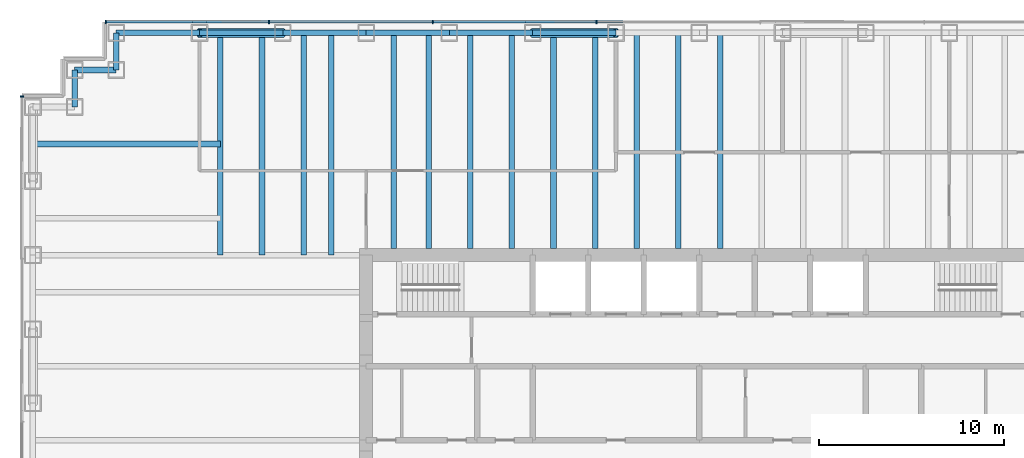
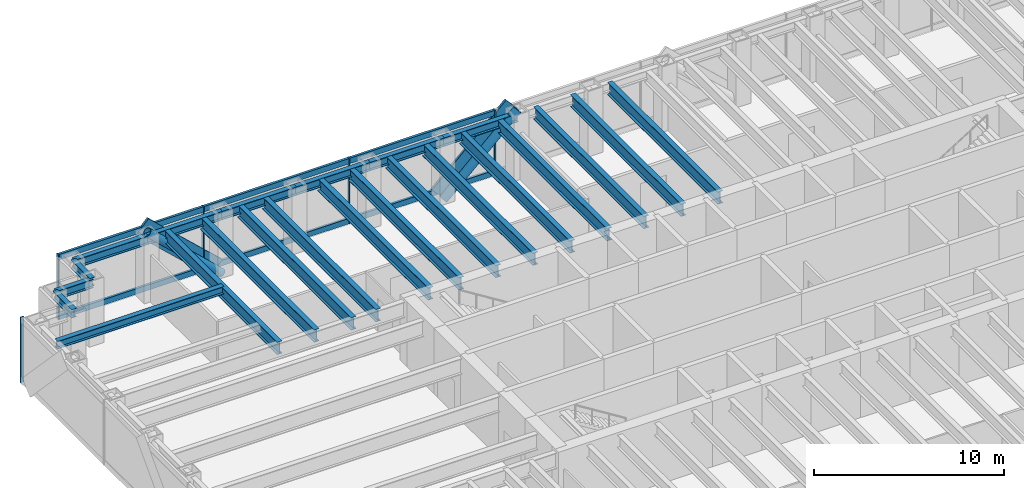
# One storey, part 6 of 15: 23 beams, 15 members, 2 elements without a shape of their own.
"""IFC4 building model written with IfcOpenShell, lengths in metres."""

from ifc_helpers import new_model, si_unit, direction, frame, origin, origin_2d, place, context, subcontext, project, spatial, rectangle, hollow_circle, i_section, extrude, material, material_profile, profile_set, type_object, element, aggregate, save


model = new_model("IFC4")

# Units and contexts
model_context = context("Model", 3, precision=1e-05, world=origin(), true_north=direction((0.0, 1.0)))
body_context = subcontext(model_context, "Body", "Model", "MODEL_VIEW")
ifc_project = project(units=[si_unit("LENGTHUNIT", "METRE"), si_unit("AREAUNIT", "SQUARE_METRE"), si_unit("VOLUMEUNIT", "CUBIC_METRE"), si_unit("PLANEANGLEUNIT", "RADIAN"), si_unit("MASSUNIT", "GRAM", prefix="KILO")], contexts=[model_context])

# Site, building, storey
site_placement = place(None, origin())
site = spatial("IfcSite", under=ifc_project, at=site_placement, CompositionType="ELEMENT")
building_placement = place(site_placement, origin())
building = spatial("IfcBuilding", under=site, at=building_placement, Name="Rheinbord Bourse Tower", CompositionType="ELEMENT")
storey_placement = place(building_placement, frame((0.0, 0.0, 296.300048828125)))
storey = spatial("IfcBuildingStorey", under=building, at=storey_placement, Name="L67", CompositionType="ELEMENT", Elevation=296.300048828125)

# Curtain wall, members
ifc_material_1 = material(Name="Dark glass and black aluminium", Category="aluminium")
curtain_wall_type = type_object("IfcCurtainWallType", Name="CW3 DARK GLASS CURTAIN WALL", PredefinedType="USERDEFINED", material=ifc_material_1)
curtain_wall_1_placement = place(storey_placement, origin())
curtain_wall_1 = element("IfcCurtainWall", 1, at=curtain_wall_1_placement, inside=storey, type_object=curtain_wall_type, Name="Curtain wall CW3 N L67", ObjectType="UNITISED CURTAIN WALL", PredefinedType="USERDEFINED")
ifc_material_2 = material(Name="Black anodised aluminium", Category="aluminium")
ifc_material_profile_1 = material_profile(ifc_material_2, rectangle(XDim=0.14990234375, YDim=1.10791015625, at=origin_2d()), Name="CW3 DIAGONAL MULLION 1108x150")
ifc_profile_set_1 = profile_set([ifc_material_profile_1], Name="Black anodised aluminium")
member_type_1 = type_object("IfcMemberType", Name="CW3 BLACK DIAGONAL MULLION", PredefinedType="USERDEFINED", material=ifc_profile_set_1)
member_1_placement = place(storey_placement, frame((13.5, 44.60009765625, 0.0), z_axis=(-0.73105922506, 0.0, 0.682314010889), x_axis=(0.0, -1.0, 0.0)))
member_1 = element("IfcMember", 2, at=member_1_placement, type_object=member_type_1, Name="CW3 diagonal mullion b", ObjectType="DIAGONAL MULLION", PredefinedType="USERDEFINED", context=body_context, shape_type="SweptSolid", body=[
    extrude(rectangle(XDim=0.14990234375, YDim=1.10791015625, at=origin_2d()), origin(), (0.0, 0.0, 1.0), 6.155517578125),
])
member_2_placement = place(storey_placement, frame((27.0, 44.60009765625, 0.0), z_axis=(0.73105922506, 0.0, 0.682314010889), x_axis=(0.0, 1.0, 0.0)))
member_2 = element("IfcMember", 3, at=member_2_placement, type_object=member_type_1, Name="CW3 diagonal mullion d", ObjectType="DIAGONAL MULLION", PredefinedType="USERDEFINED", context=body_context, shape_type="SweptSolid", body=[
    extrude(rectangle(XDim=0.14990234375, YDim=1.10791015625, at=origin_2d()), origin(), (0.0, 0.0, 1.0), 6.155517578125),
])
ifc_material_3 = material(Name="Black anodised aluminium", Category="aluminium")
ifc_material_profile_2 = material_profile(ifc_material_3, rectangle(XDim=0.199951171875, YDim=0.06494140625, at=origin_2d()), Name="CW3 MULLION 65x200")
ifc_profile_set_2 = profile_set([ifc_material_profile_2], Name="Black anodised aluminium")
member_type_2 = type_object("IfcMemberType", Name="CW3 BLACK MULLION", PredefinedType="MULLION", material=ifc_profile_set_2)
member_3_placement = place(storey_placement, frame((30.449951171875, 44.60009765625, 0.0), z_axis=(0.0, 0.0, 1.0), x_axis=(0.0, -1.0, 0.0)))
member_3 = element("IfcMember", 4, at=member_3_placement, type_object=member_type_2, Name="CW3 mullion 5", PredefinedType="MULLION", context=body_context, shape_type="SweptSolid", body=[
    extrude(rectangle(XDim=0.199951171875, YDim=0.06494140625, at=origin_2d()), origin(), (0.0, 0.0, 1.0), 4.199951171875),
])
member_4_placement = place(storey_placement, frame((21.60009765625, 44.60009765625, 0.0), z_axis=(0.0, 0.0, 1.0), x_axis=(0.0, -1.0, 0.0)))
member_4 = element("IfcMember", 5, at=member_4_placement, type_object=member_type_2, Name="CW3 mullion 6", PredefinedType="MULLION", context=body_context, shape_type="SweptSolid", body=[
    extrude(rectangle(XDim=0.199951171875, YDim=0.06494140625, at=origin_2d()), origin(), (0.0, 0.0, 1.0), 4.199951171875),
])
member_5_placement = place(storey_placement, frame((12.75, 44.60009765625, 0.0), z_axis=(0.0, 0.0, 1.0), x_axis=(0.0, -1.0, 0.0)))
member_5 = element("IfcMember", 6, at=member_5_placement, type_object=member_type_2, Name="CW3 mullion 7", PredefinedType="MULLION", context=body_context, shape_type="SweptSolid", body=[
    extrude(rectangle(XDim=0.199951171875, YDim=0.06494140625, at=origin_2d()), origin(), (0.0, 0.0, 1.0), 4.199951171875),
])
member_6_placement = place(storey_placement, frame((3.9326171875, 44.60009765625, 0.0), z_axis=(0.0, 0.0, 1.0), x_axis=(0.0, -1.0, 0.0)))
member_6 = element("IfcMember", 7, at=member_6_placement, type_object=member_type_2, Name="CW3 mullion 8", PredefinedType="MULLION", context=body_context, shape_type="SweptSolid", body=[
    extrude(rectangle(XDim=0.199951171875, YDim=0.06494140625, at=origin_2d()), origin(), (0.0, 0.0, 1.0), 4.199951171875),
])

# Curtain wall, member
curtain_wall_2_placement = place(storey_placement, origin())
curtain_wall_2 = element("IfcCurtainWall", 8, at=curtain_wall_2_placement, inside=storey, type_object=curtain_wall_type, Name="Curtain wall CW3 W L67", ObjectType="UNITISED CURTAIN WALL", PredefinedType="USERDEFINED")
member_7_placement = place(storey_placement, frame((-0.60009765625, 40.5673828125, 0.0), z_axis=(0.0, 0.0, 1.0), x_axis=(1.0, 0.0, 0.0)))
member_7 = element("IfcMember", 9, at=member_7_placement, type_object=member_type_2, Name="CW3 mullion 1", PredefinedType="MULLION", context=body_context, shape_type="SweptSolid", body=[
    extrude(rectangle(XDim=0.199951171875, YDim=0.06494140625, at=origin_2d()), origin(), (0.0, 0.0, 1.0), 4.199951171875),
])
aggregate(curtain_wall_2, [member_7])

# Member
ifc_material_4 = material(Name="Black anodised aluminium", Category="aluminium")
ifc_material_profile_3 = material_profile(ifc_material_4, rectangle(XDim=0.14990234375, YDim=0.35009765625, at=origin_2d()), Name="CW3 TRANSOM 350x150")
ifc_profile_set_3 = profile_set([ifc_material_profile_3], Name="Black anodised aluminium")
member_type_3 = type_object("IfcMemberType", Name="CW3 BLACK TRANSOM", PredefinedType="USERDEFINED", material=ifc_profile_set_3)
member_8_placement = place(storey_placement, frame((30.41748046875, 44.60009765625, 0.175048828125), z_axis=(-1.0, 0.0, 0.0), x_axis=(0.0, -1.0, 0.0)))
member_8 = element("IfcMember", 10, at=member_8_placement, type_object=member_type_3, Name="CW3 transom 5.1", ObjectType="TRANSOM", PredefinedType="USERDEFINED", context=body_context, shape_type="SweptSolid", body=[
    extrude(rectangle(XDim=0.14990234375, YDim=0.35009765625, at=origin_2d()), origin(), (0.0, 0.0, 1.0), 8.784912109375),
])

member_9_placement = place(storey_placement, frame((30.41748046875, 44.60009765625, 4.02490234375), z_axis=(-1.0, 0.0, 0.0), x_axis=(0.0, -1.0, 0.0)))
member_9 = element("IfcMember", 11, at=member_9_placement, type_object=member_type_3, Name="CW3 transom 5.2", ObjectType="TRANSOM", PredefinedType="USERDEFINED", context=body_context, shape_type="SweptSolid", body=[
    extrude(rectangle(XDim=0.14990234375, YDim=0.35009765625, at=origin_2d()), origin(), (0.0, 0.0, 1.0), 8.784912109375),
])

member_10_placement = place(storey_placement, frame((21.5673828125, 44.60009765625, 0.175048828125), z_axis=(-1.0, 0.0, 0.0), x_axis=(0.0, -1.0, 0.0)))
member_10 = element("IfcMember", 12, at=member_10_placement, type_object=member_type_3, Name="CW3 transom 6.1", ObjectType="TRANSOM", PredefinedType="USERDEFINED", context=body_context, shape_type="SweptSolid", body=[
    extrude(rectangle(XDim=0.14990234375, YDim=0.35009765625, at=origin_2d()), origin(), (0.0, 0.0, 1.0), 8.784912109375),
])

member_11_placement = place(storey_placement, frame((21.5673828125, 44.60009765625, 4.02490234375), z_axis=(-1.0, 0.0, 0.0), x_axis=(0.0, -1.0, 0.0)))
member_11 = element("IfcMember", 13, at=member_11_placement, type_object=member_type_3, Name="CW3 transom 6.2", ObjectType="TRANSOM", PredefinedType="USERDEFINED", context=body_context, shape_type="SweptSolid", body=[
    extrude(rectangle(XDim=0.14990234375, YDim=0.35009765625, at=origin_2d()), origin(), (0.0, 0.0, 1.0), 8.784912109375),
])

member_12_placement = place(storey_placement, frame((12.717529296875, 44.60009765625, 0.175048828125), z_axis=(-1.0, 0.0, 0.0), x_axis=(0.0, -1.0, 0.0)))
member_12 = element("IfcMember", 14, at=member_12_placement, type_object=member_type_3, Name="CW3 transom 7.1", ObjectType="TRANSOM", PredefinedType="USERDEFINED", context=body_context, shape_type="SweptSolid", body=[
    extrude(rectangle(XDim=0.14990234375, YDim=0.35009765625, at=origin_2d()), origin(), (0.0, 0.0, 1.0), 8.75244140625),
])

member_13_placement = place(storey_placement, frame((12.717529296875, 44.60009765625, 4.02490234375), z_axis=(-1.0, 0.0, 0.0), x_axis=(0.0, -1.0, 0.0)))
member_13 = element("IfcMember", 15, at=member_13_placement, type_object=member_type_3, Name="CW3 transom 7.2", ObjectType="TRANSOM", PredefinedType="USERDEFINED", context=body_context, shape_type="SweptSolid", body=[
    extrude(rectangle(XDim=0.14990234375, YDim=0.35009765625, at=origin_2d()), origin(), (0.0, 0.0, 1.0), 8.75244140625),
])

aggregate(curtain_wall_1, [member_3, member_4, member_5, member_6, member_8, member_9, member_10, member_11, member_12, member_13, member_1, member_2])

# Beams
ifc_material_5 = material(Name="Steel S460", Category="steel")
ifc_material_profile_4 = material_profile(ifc_material_5, i_section(OverallWidth=0.300048828125, OverallDepth=0.800048828125, WebThickness=0.017578125, FlangeThickness=0.032958984375, at=origin_2d()), Name="HEB 800")
ifc_profile_set_4 = profile_set([ifc_material_profile_4], Name="Steel S460")
beam_type_1 = type_object("IfcBeamType", Name="FLOOR BEAM HEB 800", PredefinedType="BEAM", material=ifc_profile_set_4)
for number, where, z_axis, x_axis, name in (
    (16, (10.125, 44.0, 3.639892578125), (0.0, -1.0, 0.0), (1.0, 0.0, 0.0), "Floor beam N-9a L68"),
    (17, (12.375, 44.0, 3.639892578125), (0.0, -1.0, 0.0), (1.0, 0.0, 0.0), "Floor beam N-9b L68"),
    (18, (14.625, 44.0, 3.639892578125), (0.0, -1.0, 0.0), (1.0, 0.0, 0.0), "Floor beam N-13.5a L68"),
    (19, (16.125, 44.0, 3.639892578125), (0.0, -1.0, 0.0), (1.0, 0.0, 0.0), "Floor beam N-13.5b L68"),
):
    element("IfcBeam", number, at=place(storey_placement, frame(where, z_axis=z_axis, x_axis=x_axis)), inside=storey, type_object=beam_type_1, Name=name, PredefinedType="BEAM", context=body_context, shape_type="SweptSolid", body=[
        extrude(i_section(OverallWidth=0.300048828125, OverallDepth=0.800048828125, WebThickness=0.017578125, FlangeThickness=0.032958984375, at=origin_2d()), origin(), (0.0, 0.0, 1.0), 12.0),
    ])
for number, where, z_axis, x_axis, name in (
    (20, (19.5, 44.0, 3.639892578125), (0.0, -1.0, 0.0), (1.0, 0.0, 0.0), "Floor beam N-18a L68"),
    (21, (21.375, 44.0, 3.639892578125), (0.0, -1.0, 0.0), (1.0, 0.0, 0.0), "Floor beam N-18b L68"),
    (22, (23.625, 44.0, 3.639892578125), (0.0, -1.0, 0.0), (1.0, 0.0, 0.0), "Floor beam N-22.5a L68"),
    (23, (25.875, 44.0, 3.639892578125), (0.0, -1.0, 0.0), (1.0, 0.0, 0.0), "Floor beam N-22.5b L68"),
    (24, (28.125, 44.0, 3.639892578125), (0.0, -1.0, 0.0), (1.0, 0.0, 0.0), "Floor beam N-27a L68"),
    (25, (30.375, 44.0, 3.639892578125), (0.0, -1.0, 0.0), (1.0, 0.0, 0.0), "Floor beam N-27b L68"),
    (26, (32.625, 44.0, 3.639892578125), (0.0, -1.0, 0.0), (1.0, 0.0, 0.0), "Floor beam N-31.5a L68"),
    (27, (34.875, 44.0, 3.639892578125), (0.0, -1.0, 0.0), (1.0, 0.0, 0.0), "Floor beam N-31.5b L68"),
    (28, (37.125, 44.0, 3.639892578125), (0.0, -1.0, 0.0), (1.0, 0.0, 0.0), "Floor beam N-36a L68"),
):
    element("IfcBeam", number, at=place(storey_placement, frame(where, z_axis=z_axis, x_axis=x_axis)), inside=storey, type_object=beam_type_1, Name=name, PredefinedType="BEAM", context=body_context, shape_type="SweptSolid", body=[
        extrude(i_section(OverallWidth=0.300048828125, OverallDepth=0.800048828125, WebThickness=0.017578125, FlangeThickness=0.032958984375, at=origin_2d()), origin(), (0.0, 0.0, 1.0), 11.64990234375),
    ])

# Members
ifc_material_6 = material(Name="Steel S460", Category="steel")
ifc_material_profile_5 = material_profile(ifc_material_6, hollow_circle(Radius=0.25390625, WallThickness=0.030029296875, at=origin_2d()), Name="CHS 508x30")
ifc_profile_set_5 = profile_set([ifc_material_profile_5], Name="Steel S460")
member_type_4 = type_object("IfcMemberType", Name="MEGABRACE CHS 508x30", PredefinedType="BRACE", material=ifc_profile_set_5)
for number, where, z_axis, x_axis, name in (
    (29, (13.5, 44.0, 0.0), (-0.73105922506, 0.0, 0.682314010889), (0.0, -1.0, 0.0), "Megabrace N face line b L67"),
    (30, (27.0, 44.0, 0.0), (0.73105922506, 0.0, 0.682314010889), (0.0, 1.0, 0.0), "Megabrace N face line d L67"),
):
    element("IfcMember", number, at=place(storey_placement, frame(where, z_axis=z_axis, x_axis=x_axis)), inside=storey, type_object=member_type_4, Name=name, PredefinedType="BRACE", context=body_context, shape_type="SweptSolid", body=[
        extrude(hollow_circle(Radius=0.25390625, WallThickness=0.030029296875, at=origin_2d()), origin(), (0.0, 0.0, 1.0), 6.155517578125),
    ])

# Beams
ifc_material_7 = material(Name="Steel S460", Category="steel")
ifc_material_profile_6 = material_profile(ifc_material_7, i_section(OverallWidth=0.300048828125, OverallDepth=0.550048828125, WebThickness=0.014892578125, FlangeThickness=0.029052734375, at=origin_2d()), Name="HEB 550")
ifc_profile_set_6 = profile_set([ifc_material_profile_6], Name="Steel S460")
beam_type_2 = type_object("IfcBeamType", Name="SPANDREL HEB 550", PredefinedType="SPANDREL", material=ifc_profile_set_6)
for number, where, z_axis, x_axis, name in (
    (31, (31.5, 44.0, 3.764892578125), (-1.0, 0.0, 0.0), (0.0, -1.0, 0.0), "Spandrel N-31.5-N-27 under L68"),
    (32, (27.0, 44.0, 3.764892578125), (-1.0, 0.0, 0.0), (0.0, -1.0, 0.0), "Spandrel N-27-N-22.5 under L68"),
    (33, (22.5, 44.0, 3.764892578125), (-1.0, 0.0, 0.0), (0.0, -1.0, 0.0), "Spandrel N-22.5-N-18 under L68"),
    (34, (18.0, 44.0, 3.764892578125), (-1.0, 0.0, 0.0), (0.0, -1.0, 0.0), "Spandrel N-18-N-13.5 under L68"),
    (35, (13.5, 44.0, 3.764892578125), (-1.0, 0.0, 0.0), (0.0, -1.0, 0.0), "Spandrel N-13.5-N-9 under L68"),
    (36, (9.0, 44.0, 3.764892578125), (-1.0, 0.0, 0.0), (0.0, -1.0, 0.0), "Spandrel N-9-NW-E under L68"),
):
    element("IfcBeam", number, at=place(storey_placement, frame(where, z_axis=z_axis, x_axis=x_axis)), inside=storey, type_object=beam_type_2, Name=name, PredefinedType="SPANDREL", context=body_context, shape_type="SweptSolid", body=[
        extrude(i_section(OverallWidth=0.300048828125, OverallDepth=0.550048828125, WebThickness=0.014892578125, FlangeThickness=0.029052734375, at=origin_2d()), origin(), (0.0, 0.0, 1.0), 4.5),
    ])
beam_1_placement = place(storey_placement, frame((4.5, 44.0, 3.764892578125), z_axis=(0.0, -1.0, 0.0), x_axis=(1.0, 0.0, 0.0)))
element("IfcBeam", 37, at=beam_1_placement, inside=storey, type_object=beam_type_2, Name="Spandrel NW-E-NW-D under L68", PredefinedType="SPANDREL", context=body_context, shape_type="SweptSolid", body=[
    extrude(i_section(OverallWidth=0.300048828125, OverallDepth=0.550048828125, WebThickness=0.014892578125, FlangeThickness=0.029052734375, at=origin_2d()), origin(), (0.0, 0.0, 1.0), 2.0),
])
beam_2_placement = place(storey_placement, frame((4.5, 42.0, 3.764892578125), z_axis=(-1.0, 0.0, 0.0), x_axis=(0.0, -1.0, 0.0)))
element("IfcBeam", 38, at=beam_2_placement, inside=storey, type_object=beam_type_2, Name="Spandrel NW-D-NW-C under L68", PredefinedType="SPANDREL", context=body_context, shape_type="SweptSolid", body=[
    extrude(i_section(OverallWidth=0.300048828125, OverallDepth=0.550048828125, WebThickness=0.014892578125, FlangeThickness=0.029052734375, at=origin_2d()), origin(), (0.0, 0.0, 1.0), 2.25),
])
beam_3_placement = place(storey_placement, frame((2.25, 42.0, 3.764892578125), z_axis=(0.0, -1.0, 0.0), x_axis=(1.0, 0.0, 0.0)))
element("IfcBeam", 39, at=beam_3_placement, inside=storey, type_object=beam_type_2, Name="Spandrel NW-C-NW-B under L68", PredefinedType="SPANDREL", context=body_context, shape_type="SweptSolid", body=[
    extrude(i_section(OverallWidth=0.300048828125, OverallDepth=0.550048828125, WebThickness=0.014892578125, FlangeThickness=0.029052734375, at=origin_2d()), origin(), (0.0, 0.0, 1.0), 2.0),
])
ifc_material_8 = material(Name="Steel S460", Category="steel")
ifc_material_profile_7 = material_profile(ifc_material_8, i_section(OverallWidth=0.300048828125, OverallDepth=0.5, WebThickness=0.014404296875, FlangeThickness=0.028076171875, at=origin_2d()), Name="HEB 500")
ifc_profile_set_7 = profile_set([ifc_material_profile_7], Name="Steel S460")
beam_type_3 = type_object("IfcBeamType", Name="TIE BEAM HEB 500", PredefinedType="JOIST", material=ifc_profile_set_7)
beam_4_placement = place(storey_placement, frame((0.0, 38.0, 3.7900390625), z_axis=(1.0, 0.0, 0.0), x_axis=(0.0, 1.0, 0.0)))
element("IfcBeam", 40, at=beam_4_placement, inside=storey, type_object=beam_type_3, Name="Tie west 38 L68", PredefinedType="JOIST", context=body_context, shape_type="SweptSolid", body=[
    extrude(i_section(OverallWidth=0.300048828125, OverallDepth=0.5, WebThickness=0.014404296875, FlangeThickness=0.028076171875, at=origin_2d()), origin(), (0.0, 0.0, 1.0), 10.125),
])

save(model, "model.ifc")
